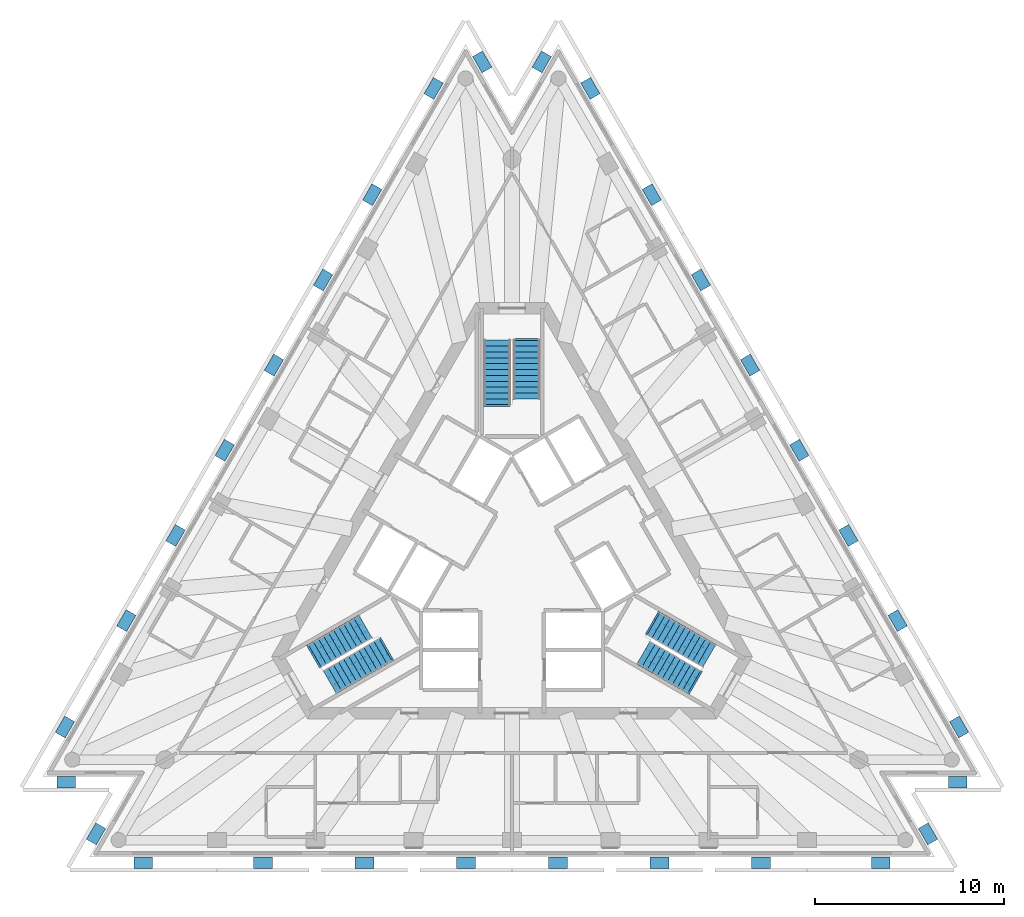
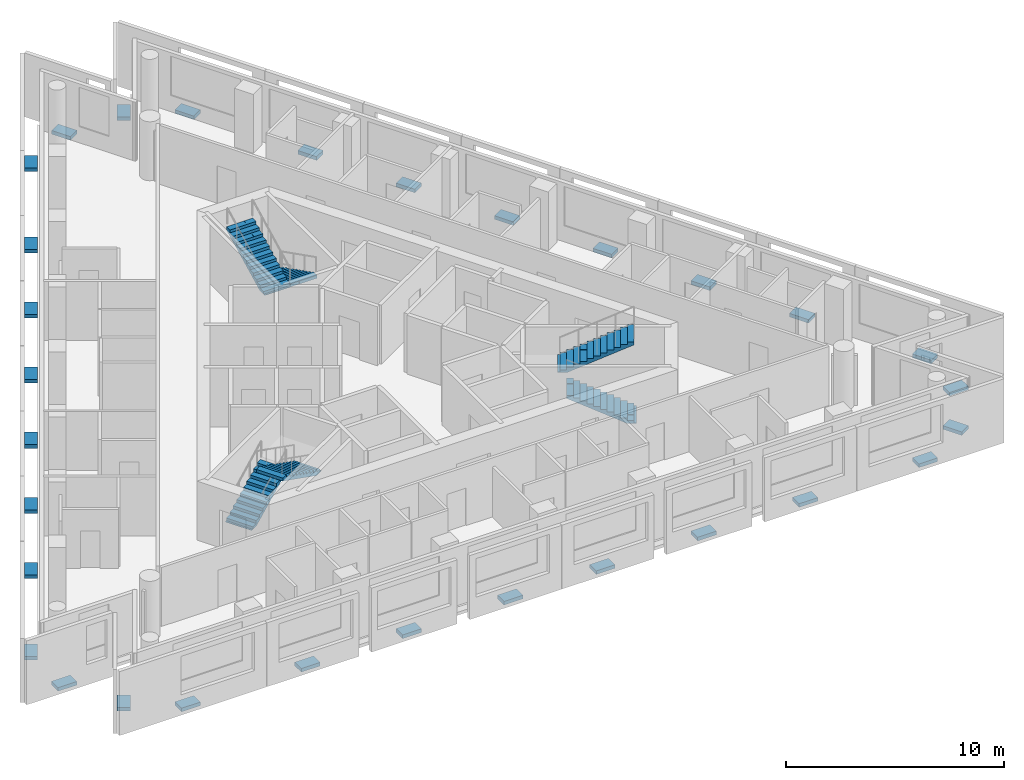
# One storey, part 8 of 10: 30 discrete accessories, 6 stair flights, 3 elements without a shape of their own.
"""IFC4 building model written with IfcOpenShell, lengths in metres."""

from ifc_helpers import new_model, si_unit, direction, frame, origin, origin_2d, place, context, subcontext, project, spatial, polyline, rectangle, outline, extrude, material, type_object, element, aggregate, save


model = new_model("IFC4")

# Units and contexts
model_context = context("Model", 3, precision=1e-05, world=origin(), true_north=direction((0.0, 1.0)))
body_context = subcontext(model_context, "Body", "Model", "MODEL_VIEW")
ifc_project = project(units=[si_unit("LENGTHUNIT", "METRE"), si_unit("AREAUNIT", "SQUARE_METRE"), si_unit("VOLUMEUNIT", "CUBIC_METRE"), si_unit("PLANEANGLEUNIT", "RADIAN"), si_unit("MASSUNIT", "GRAM", prefix="KILO")], contexts=[model_context])

# Site, building, storey
site_placement = place(None, origin())
site = spatial("IfcSite", under=ifc_project, at=site_placement, CompositionType="ELEMENT")
building_placement = place(site_placement, origin())
building = spatial("IfcBuilding", under=site, at=building_placement, Name="Triada Interchange Tower", CompositionType="ELEMENT")
storey_placement = place(building_placement, frame((0.0, 0.0, 315.10009765625)))
storey = spatial("IfcBuildingStorey", under=building, at=storey_placement, Name="L75", CompositionType="ELEMENT", Elevation=315.10009765625)

# Stair, stair flights
ifc_material_1 = material(Name="Concrete C35/45", Category="concrete")
stair_type = type_object("IfcStairType", Name="HALF TURN STAIR 1400", PredefinedType="HALF_TURN_STAIR", material=ifc_material_1)
stair_1_placement = place(storey_placement, origin())
stair_1 = element("IfcStair", 1, at=stair_1_placement, inside=storey, type_object=stair_type, Name="Exit stair S74-1", PredefinedType="HALF_TURN_STAIR")
stair_flight_type = type_object("IfcStairFlightType", Name="STRAIGHT STAIR FLIGHT 1400", PredefinedType="STRAIGHT", material=ifc_material_1)
stair_flight_1_placement = place(storey_placement, frame((0.800048828125, 11.60009765625, 0.0), z_axis=(0.0, 0.0, 1.0), x_axis=(0.0, -1.0, 0.0)))
stair_flight_1 = element("IfcStairFlight", 2, at=stair_flight_1_placement, type_object=stair_flight_type, Name="S74-1 flight 1", NumberOfRisers=11, NumberOfTreads=10, PredefinedType="STRAIGHT", RiserHeight=0.15652, TreadLength=0.31, context=body_context, shape_type="SweptSolid", body=[
    extrude(outline(polyline([(-0.10009765625, 0.0), (-0.10009765625, 0.02001953125), (0.0, 0.02001953125), (0.0, 0.156494140625), (0.31005859375, 0.156494140625), (0.31005859375, 0.31298828125), (0.6201171875, 0.31298828125), (0.6201171875, 0.469482421875), (0.929931640625, 0.469482421875), (0.929931640625, 0.6259765625), (1.239990234375, 0.6259765625), (1.239990234375, 0.78271484375), (1.550048828125, 0.78271484375), (1.550048828125, 0.939208984375), (1.860107421875, 0.939208984375), (1.860107421875, 1.095703125), (2.169921875, 1.095703125), (2.169921875, 1.252197265625), (2.47998046875, 1.252197265625), (2.47998046875, 1.40869140625), (2.7900390625, 1.40869140625), (2.7900390625, 1.565185546875), (3.10009765625, 1.565185546875), (3.10400390625, 1.565185546875), (3.10400390625, 1.7216796875), (3.10400390625, 1.397216796875), (0.33251953125, 0.0), (-0.10009765625, 0.0)])), frame((0.0, 0.699951171875, 0.0), z_axis=(0.0, -1.0, 0.0), x_axis=(1.0, 0.0, 0.0)), (0.0, 0.0, 1.0), 0.46533203125),
    extrude(outline(polyline([(-0.10009765625, 0.0), (-0.10009765625, 0.02001953125), (0.0, 0.02001953125), (0.0, 0.156494140625), (0.31005859375, 0.156494140625), (0.31005859375, 0.31298828125), (0.6201171875, 0.31298828125), (0.6201171875, 0.469482421875), (0.929931640625, 0.469482421875), (0.929931640625, 0.6259765625), (1.239990234375, 0.6259765625), (1.239990234375, 0.78271484375), (1.550048828125, 0.78271484375), (1.550048828125, 0.939208984375), (1.860107421875, 0.939208984375), (1.860107421875, 1.095703125), (2.169921875, 1.095703125), (2.169921875, 1.252197265625), (2.47998046875, 1.252197265625), (2.47998046875, 1.40869140625), (2.7900390625, 1.40869140625), (2.7900390625, 1.565185546875), (3.10009765625, 1.565185546875), (3.10400390625, 1.565185546875), (3.10400390625, 1.7216796875), (3.10400390625, 1.397216796875), (0.33251953125, 0.0), (-0.10009765625, 0.0)])), frame((0.0, 0.232666015625, 0.0), z_axis=(0.0, -1.0, 0.0), x_axis=(1.0, 0.0, 0.0)), (0.0, 0.0, 1.0), 0.46533203125),
    extrude(outline(polyline([(-0.10009765625, 0.0), (-0.10009765625, 0.02001953125), (0.0, 0.02001953125), (0.0, 0.156494140625), (0.31005859375, 0.156494140625), (0.31005859375, 0.31298828125), (0.6201171875, 0.31298828125), (0.6201171875, 0.469482421875), (0.929931640625, 0.469482421875), (0.929931640625, 0.6259765625), (1.239990234375, 0.6259765625), (1.239990234375, 0.78271484375), (1.550048828125, 0.78271484375), (1.550048828125, 0.939208984375), (1.860107421875, 0.939208984375), (1.860107421875, 1.095703125), (2.169921875, 1.095703125), (2.169921875, 1.252197265625), (2.47998046875, 1.252197265625), (2.47998046875, 1.40869140625), (2.7900390625, 1.40869140625), (2.7900390625, 1.565185546875), (3.10009765625, 1.565185546875), (3.10400390625, 1.565185546875), (3.10400390625, 1.7216796875), (3.10400390625, 1.397216796875), (0.33251953125, 0.0), (-0.10009765625, 0.0)])), frame((0.0, -0.234619140625, 0.0), z_axis=(0.0, -1.0, 0.0), x_axis=(1.0, 0.0, 0.0)), (0.0, 0.0, 1.0), 0.46533203125),
])
stair_flight_2_placement = place(storey_placement, frame((-0.800048828125, 8.18994140625, 1.7216796875), z_axis=(0.0, 0.0, 1.0), x_axis=(0.0, 1.0, 0.0)))
stair_flight_2 = element("IfcStairFlight", 3, at=stair_flight_2_placement, type_object=stair_flight_type, Name="S74-1 flight 2", NumberOfRisers=12, NumberOfTreads=11, PredefinedType="STRAIGHT", RiserHeight=0.15652, TreadLength=0.31, context=body_context, shape_type="SweptSolid", body=[
    extrude(outline(polyline([(-0.10009765625, 0.0), (-0.10009765625, 0.02001953125), (0.0, 0.02001953125), (0.0, 0.156494140625), (0.31005859375, 0.156494140625), (0.31005859375, 0.31298828125), (0.6201171875, 0.31298828125), (0.6201171875, 0.469482421875), (0.929931640625, 0.469482421875), (0.929931640625, 0.6259765625), (1.239990234375, 0.6259765625), (1.239990234375, 0.78271484375), (1.550048828125, 0.78271484375), (1.550048828125, 0.939208984375), (1.860107421875, 0.939208984375), (1.860107421875, 1.095703125), (2.169921875, 1.095703125), (2.169921875, 1.252197265625), (2.47998046875, 1.252197265625), (2.47998046875, 1.40869140625), (2.7900390625, 1.40869140625), (2.7900390625, 1.565185546875), (3.10009765625, 1.565185546875), (3.10009765625, 1.7216796875), (3.409912109375, 1.7216796875), (3.4140625, 1.7216796875), (3.4140625, 1.878173828125), (3.4140625, 1.5537109375), (0.33251953125, 0.0), (-0.10009765625, 0.0)])), frame((0.0, 0.699951171875, 0.0), z_axis=(0.0, -1.0, 0.0), x_axis=(1.0, 0.0, 0.0)), (0.0, 0.0, 1.0), 0.46533203125),
    extrude(outline(polyline([(-0.10009765625, 0.0), (-0.10009765625, 0.02001953125), (0.0, 0.02001953125), (0.0, 0.156494140625), (0.31005859375, 0.156494140625), (0.31005859375, 0.31298828125), (0.6201171875, 0.31298828125), (0.6201171875, 0.469482421875), (0.929931640625, 0.469482421875), (0.929931640625, 0.6259765625), (1.239990234375, 0.6259765625), (1.239990234375, 0.78271484375), (1.550048828125, 0.78271484375), (1.550048828125, 0.939208984375), (1.860107421875, 0.939208984375), (1.860107421875, 1.095703125), (2.169921875, 1.095703125), (2.169921875, 1.252197265625), (2.47998046875, 1.252197265625), (2.47998046875, 1.40869140625), (2.7900390625, 1.40869140625), (2.7900390625, 1.565185546875), (3.10009765625, 1.565185546875), (3.10009765625, 1.7216796875), (3.409912109375, 1.7216796875), (3.4140625, 1.7216796875), (3.4140625, 1.878173828125), (3.4140625, 1.5537109375), (0.33251953125, 0.0), (-0.10009765625, 0.0)])), frame((0.0, 0.232666015625, 0.0), z_axis=(0.0, -1.0, 0.0), x_axis=(1.0, 0.0, 0.0)), (0.0, 0.0, 1.0), 0.46533203125),
    extrude(outline(polyline([(-0.10009765625, 0.0), (-0.10009765625, 0.02001953125), (0.0, 0.02001953125), (0.0, 0.156494140625), (0.31005859375, 0.156494140625), (0.31005859375, 0.31298828125), (0.6201171875, 0.31298828125), (0.6201171875, 0.469482421875), (0.929931640625, 0.469482421875), (0.929931640625, 0.6259765625), (1.239990234375, 0.6259765625), (1.239990234375, 0.78271484375), (1.550048828125, 0.78271484375), (1.550048828125, 0.939208984375), (1.860107421875, 0.939208984375), (1.860107421875, 1.095703125), (2.169921875, 1.095703125), (2.169921875, 1.252197265625), (2.47998046875, 1.252197265625), (2.47998046875, 1.40869140625), (2.7900390625, 1.40869140625), (2.7900390625, 1.565185546875), (3.10009765625, 1.565185546875), (3.10009765625, 1.7216796875), (3.409912109375, 1.7216796875), (3.4140625, 1.7216796875), (3.4140625, 1.878173828125), (3.4140625, 1.5537109375), (0.33251953125, 0.0), (-0.10009765625, 0.0)])), frame((0.0, -0.234619140625, 0.0), z_axis=(0.0, -1.0, 0.0), x_axis=(1.0, 0.0, 0.0)), (0.0, 0.0, 1.0), 0.46533203125),
])
aggregate(stair_1, [stair_flight_1, stair_flight_2])

stair_2_placement = place(storey_placement, origin())
stair_2 = element("IfcStair", 4, at=stair_2_placement, inside=storey, type_object=stair_type, Name="Exit stair S74-2", PredefinedType="HALF_TURN_STAIR")
stair_flight_3_placement = place(storey_placement, frame((-10.446044921875, -5.10693359375, 0.0), z_axis=(0.0, 0.0, 1.0), x_axis=(0.866025403784, 0.5, 0.0)))
stair_flight_3 = element("IfcStairFlight", 5, at=stair_flight_3_placement, type_object=stair_flight_type, Name="S74-2 flight 1", NumberOfRisers=11, NumberOfTreads=10, PredefinedType="STRAIGHT", RiserHeight=0.15652, TreadLength=0.31, context=body_context, shape_type="SweptSolid", body=[
    extrude(outline(polyline([(-0.10009765625, 0.0), (-0.10009765625, 0.02001953125), (0.0, 0.02001953125), (0.0, 0.156494140625), (0.31005859375, 0.156494140625), (0.31005859375, 0.31298828125), (0.6201171875, 0.31298828125), (0.6201171875, 0.469482421875), (0.929931640625, 0.469482421875), (0.929931640625, 0.6259765625), (1.239990234375, 0.6259765625), (1.239990234375, 0.78271484375), (1.550048828125, 0.78271484375), (1.550048828125, 0.939208984375), (1.860107421875, 0.939208984375), (1.860107421875, 1.095703125), (2.169921875, 1.095703125), (2.169921875, 1.252197265625), (2.47998046875, 1.252197265625), (2.47998046875, 1.40869140625), (2.7900390625, 1.40869140625), (2.7900390625, 1.565185546875), (3.10009765625, 1.565185546875), (3.10400390625, 1.565185546875), (3.10400390625, 1.7216796875), (3.10400390625, 1.397216796875), (0.33251953125, 0.0), (-0.10009765625, 0.0)])), frame((0.0, 0.699951171875, 0.0), z_axis=(0.0, -1.0, 0.0), x_axis=(1.0, 0.0, 0.0)), (0.0, 0.0, 1.0), 0.46533203125),
    extrude(outline(polyline([(-0.10009765625, 0.0), (-0.10009765625, 0.02001953125), (0.0, 0.02001953125), (0.0, 0.156494140625), (0.31005859375, 0.156494140625), (0.31005859375, 0.31298828125), (0.6201171875, 0.31298828125), (0.6201171875, 0.469482421875), (0.929931640625, 0.469482421875), (0.929931640625, 0.6259765625), (1.239990234375, 0.6259765625), (1.239990234375, 0.78271484375), (1.550048828125, 0.78271484375), (1.550048828125, 0.939208984375), (1.860107421875, 0.939208984375), (1.860107421875, 1.095703125), (2.169921875, 1.095703125), (2.169921875, 1.252197265625), (2.47998046875, 1.252197265625), (2.47998046875, 1.40869140625), (2.7900390625, 1.40869140625), (2.7900390625, 1.565185546875), (3.10009765625, 1.565185546875), (3.10400390625, 1.565185546875), (3.10400390625, 1.7216796875), (3.10400390625, 1.397216796875), (0.33251953125, 0.0), (-0.10009765625, 0.0)])), frame((0.0, 0.232666015625, 0.0), z_axis=(0.0, -1.0, 0.0), x_axis=(1.0, 0.0, 0.0)), (0.0, 0.0, 1.0), 0.46533203125),
    extrude(outline(polyline([(-0.10009765625, 0.0), (-0.10009765625, 0.02001953125), (0.0, 0.02001953125), (0.0, 0.156494140625), (0.31005859375, 0.156494140625), (0.31005859375, 0.31298828125), (0.6201171875, 0.31298828125), (0.6201171875, 0.469482421875), (0.929931640625, 0.469482421875), (0.929931640625, 0.6259765625), (1.239990234375, 0.6259765625), (1.239990234375, 0.78271484375), (1.550048828125, 0.78271484375), (1.550048828125, 0.939208984375), (1.860107421875, 0.939208984375), (1.860107421875, 1.095703125), (2.169921875, 1.095703125), (2.169921875, 1.252197265625), (2.47998046875, 1.252197265625), (2.47998046875, 1.40869140625), (2.7900390625, 1.40869140625), (2.7900390625, 1.565185546875), (3.10009765625, 1.565185546875), (3.10400390625, 1.565185546875), (3.10400390625, 1.7216796875), (3.10400390625, 1.397216796875), (0.33251953125, 0.0), (-0.10009765625, 0.0)])), frame((0.0, -0.234619140625, 0.0), z_axis=(0.0, -1.0, 0.0), x_axis=(1.0, 0.0, 0.0)), (0.0, 0.0, 1.0), 0.46533203125),
])
stair_flight_4_placement = place(storey_placement, frame((-6.693115234375, -4.7880859375, 1.7216796875), z_axis=(0.0, 0.0, 1.0), x_axis=(-0.866025403784, -0.5, 0.0)))
stair_flight_4 = element("IfcStairFlight", 6, at=stair_flight_4_placement, type_object=stair_flight_type, Name="S74-2 flight 2", NumberOfRisers=12, NumberOfTreads=11, PredefinedType="STRAIGHT", RiserHeight=0.15652, TreadLength=0.31, context=body_context, shape_type="SweptSolid", body=[
    extrude(outline(polyline([(-0.10009765625, 0.0), (-0.10009765625, 0.02001953125), (0.0, 0.02001953125), (0.0, 0.156494140625), (0.31005859375, 0.156494140625), (0.31005859375, 0.31298828125), (0.6201171875, 0.31298828125), (0.6201171875, 0.469482421875), (0.929931640625, 0.469482421875), (0.929931640625, 0.6259765625), (1.239990234375, 0.6259765625), (1.239990234375, 0.78271484375), (1.550048828125, 0.78271484375), (1.550048828125, 0.939208984375), (1.860107421875, 0.939208984375), (1.860107421875, 1.095703125), (2.169921875, 1.095703125), (2.169921875, 1.252197265625), (2.47998046875, 1.252197265625), (2.47998046875, 1.40869140625), (2.7900390625, 1.40869140625), (2.7900390625, 1.565185546875), (3.10009765625, 1.565185546875), (3.10009765625, 1.7216796875), (3.409912109375, 1.7216796875), (3.4140625, 1.7216796875), (3.4140625, 1.878173828125), (3.4140625, 1.5537109375), (0.33251953125, 0.0), (-0.10009765625, 0.0)])), frame((0.0, 0.699951171875, 0.0), z_axis=(0.0, -1.0, 0.0), x_axis=(1.0, 0.0, 0.0)), (0.0, 0.0, 1.0), 0.46533203125),
    extrude(outline(polyline([(-0.10009765625, 0.0), (-0.10009765625, 0.02001953125), (0.0, 0.02001953125), (0.0, 0.156494140625), (0.31005859375, 0.156494140625), (0.31005859375, 0.31298828125), (0.6201171875, 0.31298828125), (0.6201171875, 0.469482421875), (0.929931640625, 0.469482421875), (0.929931640625, 0.6259765625), (1.239990234375, 0.6259765625), (1.239990234375, 0.78271484375), (1.550048828125, 0.78271484375), (1.550048828125, 0.939208984375), (1.860107421875, 0.939208984375), (1.860107421875, 1.095703125), (2.169921875, 1.095703125), (2.169921875, 1.252197265625), (2.47998046875, 1.252197265625), (2.47998046875, 1.40869140625), (2.7900390625, 1.40869140625), (2.7900390625, 1.565185546875), (3.10009765625, 1.565185546875), (3.10009765625, 1.7216796875), (3.409912109375, 1.7216796875), (3.4140625, 1.7216796875), (3.4140625, 1.878173828125), (3.4140625, 1.5537109375), (0.33251953125, 0.0), (-0.10009765625, 0.0)])), frame((0.0, 0.232666015625, 0.0), z_axis=(0.0, -1.0, 0.0), x_axis=(1.0, 0.0, 0.0)), (0.0, 0.0, 1.0), 0.46533203125),
    extrude(outline(polyline([(-0.10009765625, 0.0), (-0.10009765625, 0.02001953125), (0.0, 0.02001953125), (0.0, 0.156494140625), (0.31005859375, 0.156494140625), (0.31005859375, 0.31298828125), (0.6201171875, 0.31298828125), (0.6201171875, 0.469482421875), (0.929931640625, 0.469482421875), (0.929931640625, 0.6259765625), (1.239990234375, 0.6259765625), (1.239990234375, 0.78271484375), (1.550048828125, 0.78271484375), (1.550048828125, 0.939208984375), (1.860107421875, 0.939208984375), (1.860107421875, 1.095703125), (2.169921875, 1.095703125), (2.169921875, 1.252197265625), (2.47998046875, 1.252197265625), (2.47998046875, 1.40869140625), (2.7900390625, 1.40869140625), (2.7900390625, 1.565185546875), (3.10009765625, 1.565185546875), (3.10009765625, 1.7216796875), (3.409912109375, 1.7216796875), (3.4140625, 1.7216796875), (3.4140625, 1.878173828125), (3.4140625, 1.5537109375), (0.33251953125, 0.0), (-0.10009765625, 0.0)])), frame((0.0, -0.234619140625, 0.0), z_axis=(0.0, -1.0, 0.0), x_axis=(1.0, 0.0, 0.0)), (0.0, 0.0, 1.0), 0.46533203125),
])
aggregate(stair_2, [stair_flight_3, stair_flight_4])

stair_3_placement = place(storey_placement, origin())
stair_3 = element("IfcStair", 7, at=stair_3_placement, inside=storey, type_object=stair_type, Name="Exit stair S74-3", PredefinedType="HALF_TURN_STAIR")
stair_flight_5_placement = place(storey_placement, frame((9.64599609375, -6.492919921875, 0.0), z_axis=(0.0, 0.0, 1.0), x_axis=(-0.866025403784, 0.5, 0.0)))
stair_flight_5 = element("IfcStairFlight", 8, at=stair_flight_5_placement, type_object=stair_flight_type, Name="S74-3 flight 1", NumberOfRisers=11, NumberOfTreads=10, PredefinedType="STRAIGHT", RiserHeight=0.15652, TreadLength=0.31, context=body_context, shape_type="SweptSolid", body=[
    extrude(outline(polyline([(-0.10009765625, 0.0), (-0.10009765625, 0.02001953125), (0.0, 0.02001953125), (0.0, 0.156494140625), (0.31005859375, 0.156494140625), (0.31005859375, 0.31298828125), (0.6201171875, 0.31298828125), (0.6201171875, 0.469482421875), (0.929931640625, 0.469482421875), (0.929931640625, 0.6259765625), (1.239990234375, 0.6259765625), (1.239990234375, 0.78271484375), (1.550048828125, 0.78271484375), (1.550048828125, 0.939208984375), (1.860107421875, 0.939208984375), (1.860107421875, 1.095703125), (2.169921875, 1.095703125), (2.169921875, 1.252197265625), (2.47998046875, 1.252197265625), (2.47998046875, 1.40869140625), (2.7900390625, 1.40869140625), (2.7900390625, 1.565185546875), (3.10009765625, 1.565185546875), (3.10400390625, 1.565185546875), (3.10400390625, 1.7216796875), (3.10400390625, 1.397216796875), (0.33251953125, 0.0), (-0.10009765625, 0.0)])), frame((0.0, 0.699951171875, 0.0), z_axis=(0.0, -1.0, 0.0), x_axis=(1.0, 0.0, 0.0)), (0.0, 0.0, 1.0), 0.46533203125),
    extrude(outline(polyline([(-0.10009765625, 0.0), (-0.10009765625, 0.02001953125), (0.0, 0.02001953125), (0.0, 0.156494140625), (0.31005859375, 0.156494140625), (0.31005859375, 0.31298828125), (0.6201171875, 0.31298828125), (0.6201171875, 0.469482421875), (0.929931640625, 0.469482421875), (0.929931640625, 0.6259765625), (1.239990234375, 0.6259765625), (1.239990234375, 0.78271484375), (1.550048828125, 0.78271484375), (1.550048828125, 0.939208984375), (1.860107421875, 0.939208984375), (1.860107421875, 1.095703125), (2.169921875, 1.095703125), (2.169921875, 1.252197265625), (2.47998046875, 1.252197265625), (2.47998046875, 1.40869140625), (2.7900390625, 1.40869140625), (2.7900390625, 1.565185546875), (3.10009765625, 1.565185546875), (3.10400390625, 1.565185546875), (3.10400390625, 1.7216796875), (3.10400390625, 1.397216796875), (0.33251953125, 0.0), (-0.10009765625, 0.0)])), frame((0.0, 0.232666015625, 0.0), z_axis=(0.0, -1.0, 0.0), x_axis=(1.0, 0.0, 0.0)), (0.0, 0.0, 1.0), 0.46533203125),
    extrude(outline(polyline([(-0.10009765625, 0.0), (-0.10009765625, 0.02001953125), (0.0, 0.02001953125), (0.0, 0.156494140625), (0.31005859375, 0.156494140625), (0.31005859375, 0.31298828125), (0.6201171875, 0.31298828125), (0.6201171875, 0.469482421875), (0.929931640625, 0.469482421875), (0.929931640625, 0.6259765625), (1.239990234375, 0.6259765625), (1.239990234375, 0.78271484375), (1.550048828125, 0.78271484375), (1.550048828125, 0.939208984375), (1.860107421875, 0.939208984375), (1.860107421875, 1.095703125), (2.169921875, 1.095703125), (2.169921875, 1.252197265625), (2.47998046875, 1.252197265625), (2.47998046875, 1.40869140625), (2.7900390625, 1.40869140625), (2.7900390625, 1.565185546875), (3.10009765625, 1.565185546875), (3.10400390625, 1.565185546875), (3.10400390625, 1.7216796875), (3.10400390625, 1.397216796875), (0.33251953125, 0.0), (-0.10009765625, 0.0)])), frame((0.0, -0.234619140625, 0.0), z_axis=(0.0, -1.0, 0.0), x_axis=(1.0, 0.0, 0.0)), (0.0, 0.0, 1.0), 0.46533203125),
])
stair_flight_6_placement = place(storey_placement, frame((7.492919921875, -3.402099609375, 1.7216796875), z_axis=(0.0, 0.0, 1.0), x_axis=(0.866025403784, -0.5, 0.0)))
stair_flight_6 = element("IfcStairFlight", 9, at=stair_flight_6_placement, type_object=stair_flight_type, Name="S74-3 flight 2", NumberOfRisers=12, NumberOfTreads=11, PredefinedType="STRAIGHT", RiserHeight=0.15652, TreadLength=0.31, context=body_context, shape_type="SweptSolid", body=[
    extrude(outline(polyline([(-0.10009765625, 0.0), (-0.10009765625, 0.02001953125), (0.0, 0.02001953125), (0.0, 0.156494140625), (0.31005859375, 0.156494140625), (0.31005859375, 0.31298828125), (0.6201171875, 0.31298828125), (0.6201171875, 0.469482421875), (0.929931640625, 0.469482421875), (0.929931640625, 0.6259765625), (1.239990234375, 0.6259765625), (1.239990234375, 0.78271484375), (1.550048828125, 0.78271484375), (1.550048828125, 0.939208984375), (1.860107421875, 0.939208984375), (1.860107421875, 1.095703125), (2.169921875, 1.095703125), (2.169921875, 1.252197265625), (2.47998046875, 1.252197265625), (2.47998046875, 1.40869140625), (2.7900390625, 1.40869140625), (2.7900390625, 1.565185546875), (3.10009765625, 1.565185546875), (3.10009765625, 1.7216796875), (3.409912109375, 1.7216796875), (3.4140625, 1.7216796875), (3.4140625, 1.878173828125), (3.4140625, 1.5537109375), (0.33251953125, 0.0), (-0.10009765625, 0.0)])), frame((0.0, 0.699951171875, 0.0), z_axis=(0.0, -1.0, 0.0), x_axis=(1.0, 0.0, 0.0)), (0.0, 0.0, 1.0), 0.46533203125),
    extrude(outline(polyline([(-0.10009765625, 0.0), (-0.10009765625, 0.02001953125), (0.0, 0.02001953125), (0.0, 0.156494140625), (0.31005859375, 0.156494140625), (0.31005859375, 0.31298828125), (0.6201171875, 0.31298828125), (0.6201171875, 0.469482421875), (0.929931640625, 0.469482421875), (0.929931640625, 0.6259765625), (1.239990234375, 0.6259765625), (1.239990234375, 0.78271484375), (1.550048828125, 0.78271484375), (1.550048828125, 0.939208984375), (1.860107421875, 0.939208984375), (1.860107421875, 1.095703125), (2.169921875, 1.095703125), (2.169921875, 1.252197265625), (2.47998046875, 1.252197265625), (2.47998046875, 1.40869140625), (2.7900390625, 1.40869140625), (2.7900390625, 1.565185546875), (3.10009765625, 1.565185546875), (3.10009765625, 1.7216796875), (3.409912109375, 1.7216796875), (3.4140625, 1.7216796875), (3.4140625, 1.878173828125), (3.4140625, 1.5537109375), (0.33251953125, 0.0), (-0.10009765625, 0.0)])), frame((0.0, 0.232666015625, 0.0), z_axis=(0.0, -1.0, 0.0), x_axis=(1.0, 0.0, 0.0)), (0.0, 0.0, 1.0), 0.46533203125),
    extrude(outline(polyline([(-0.10009765625, 0.0), (-0.10009765625, 0.02001953125), (0.0, 0.02001953125), (0.0, 0.156494140625), (0.31005859375, 0.156494140625), (0.31005859375, 0.31298828125), (0.6201171875, 0.31298828125), (0.6201171875, 0.469482421875), (0.929931640625, 0.469482421875), (0.929931640625, 0.6259765625), (1.239990234375, 0.6259765625), (1.239990234375, 0.78271484375), (1.550048828125, 0.78271484375), (1.550048828125, 0.939208984375), (1.860107421875, 0.939208984375), (1.860107421875, 1.095703125), (2.169921875, 1.095703125), (2.169921875, 1.252197265625), (2.47998046875, 1.252197265625), (2.47998046875, 1.40869140625), (2.7900390625, 1.40869140625), (2.7900390625, 1.565185546875), (3.10009765625, 1.565185546875), (3.10009765625, 1.7216796875), (3.409912109375, 1.7216796875), (3.4140625, 1.7216796875), (3.4140625, 1.878173828125), (3.4140625, 1.5537109375), (0.33251953125, 0.0), (-0.10009765625, 0.0)])), frame((0.0, -0.234619140625, 0.0), z_axis=(0.0, -1.0, 0.0), x_axis=(1.0, 0.0, 0.0)), (0.0, 0.0, 1.0), 0.46533203125),
])
aggregate(stair_3, [stair_flight_5, stair_flight_6])

# Discrete accessories
ifc_material_2 = material(Name="Steel S355", Category="steel")
discrete_accessory_type = type_object("IfcDiscreteAccessoryType", Name="Steel bracket outer skin", PredefinedType="BRACKET", material=ifc_material_2)
for number, where, z_axis, x_axis, name in (
    (10, (-4.14892578125, 24.93994140625, -0.27001953125), (0.0, 0.0, 1.0), (-0.866024548572, 0.500001481269, 0.0), "Bracket L75 01"),
    (11, (-7.402099609375, 19.305908203125, -0.27001953125), (0.0, 0.0, 1.0), (-0.866024548572, 0.500001481269, 0.0), "Bracket L75 02"),
    (12, (-10.0048828125, 14.7958984375, -0.27001953125), (0.0, 0.0, 1.0), (-0.866024548572, 0.500001481269, 0.0), "Bracket L75 03"),
    (13, (-12.60888671875, 10.285888671875, -0.27001953125), (0.0, 0.0, 1.0), (-0.866024548572, 0.500001481269, 0.0), "Bracket L75 04"),
    (14, (-15.212890625, 5.777099609375, -0.27001953125), (0.0, 0.0, 1.0), (-0.866024548572, 0.500001481269, 0.0), "Bracket L75 05"),
    (15, (-17.81591796875, 1.26708984375, -0.27001953125), (0.0, 0.0, 1.0), (-0.866024548572, 0.500001481269, 0.0), "Bracket L75 06"),
    (16, (-20.419921875, -3.242919921875, -0.27001953125), (0.0, 0.0, 1.0), (-0.866024548572, 0.500001481269, 0.0), "Bracket L75 07"),
    (17, (-23.673095703125, -8.876953125, -0.27001953125), (0.0, 0.0, 1.0), (-0.866024548572, 0.500001481269, 0.0), "Bracket L75 08"),
    (18, (-23.60009765625, -11.806884765625, -0.27001953125), (0.0, 0.0, 1.0), (0.0, -1.0, 0.0), "Bracket L75 09"),
    (19, (-22.02490234375, -14.534912109375, -0.27001953125), (0.0, 0.0, 1.0), (-0.866043266677, 0.499969059287, 0.0), "Bracket L75 10"),
    (20, (-19.52392578125, -16.06298828125, -0.27001953125), (0.0, 0.0, 1.0), (0.0, -1.0, 0.0), "Bracket L75 11"),
    (21, (-13.179931640625, -16.06298828125, -0.27001953125), (0.0, 0.0, 1.0), (0.0, -1.0, 0.0), "Bracket L75 12"),
    (22, (-7.81103515625, -16.06298828125, -0.27001953125), (0.0, 0.0, 1.0), (0.0, -1.0, 0.0), "Bracket L75 13"),
    (23, (-2.44189453125, -16.06298828125, -0.27001953125), (0.0, 0.0, 1.0), (0.0, -1.0, 0.0), "Bracket L75 14"),
    (24, (2.44189453125, -16.06298828125, -0.27001953125), (0.0, 0.0, 1.0), (0.0, -1.0, 0.0), "Bracket L75 15"),
    (25, (7.81103515625, -16.06298828125, -0.27001953125), (0.0, 0.0, 1.0), (0.0, -1.0, 0.0), "Bracket L75 16"),
    (26, (13.179931640625, -16.06298828125, -0.27001953125), (0.0, 0.0, 1.0), (0.0, -1.0, 0.0), "Bracket L75 17"),
    (27, (19.52392578125, -16.06298828125, -0.27001953125), (0.0, 0.0, 1.0), (0.0, -1.0, 0.0), "Bracket L75 18"),
    (28, (22.02490234375, -14.534912109375, -0.27001953125), (0.0, 0.0, 1.0), (0.866043266677, 0.499969059287, 0.0), "Bracket L75 19"),
    (29, (23.60009765625, -11.806884765625, -0.27001953125), (0.0, 0.0, 1.0), (0.0, -1.0, 0.0), "Bracket L75 20"),
    (30, (23.673095703125, -8.876953125, -0.27001953125), (0.0, 0.0, 1.0), (0.866024548572, 0.500001481269, 0.0), "Bracket L75 21"),
    (31, (20.419921875, -3.242919921875, -0.27001953125), (0.0, 0.0, 1.0), (0.866024548572, 0.500001481269, 0.0), "Bracket L75 22"),
    (32, (17.81591796875, 1.26708984375, -0.27001953125), (0.0, 0.0, 1.0), (0.866024548572, 0.500001481269, 0.0), "Bracket L75 23"),
    (33, (15.212890625, 5.777099609375, -0.27001953125), (0.0, 0.0, 1.0), (0.866024548572, 0.500001481269, 0.0), "Bracket L75 24"),
    (34, (12.60888671875, 10.285888671875, -0.27001953125), (0.0, 0.0, 1.0), (0.866024548572, 0.500001481269, 0.0), "Bracket L75 25"),
    (35, (10.0048828125, 14.7958984375, -0.27001953125), (0.0, 0.0, 1.0), (0.866024548572, 0.500001481269, 0.0), "Bracket L75 26"),
    (36, (7.402099609375, 19.305908203125, -0.27001953125), (0.0, 0.0, 1.0), (0.866024548572, 0.500001481269, 0.0), "Bracket L75 27"),
    (37, (4.14892578125, 24.93994140625, -0.27001953125), (0.0, 0.0, 1.0), (0.866024548572, 0.500001481269, 0.0), "Bracket L75 28"),
    (38, (1.574951171875, 26.342041015625, -0.27001953125), (0.0, 0.0, 1.0), (-0.866043266677, 0.499969059287, 0.0), "Bracket L75 29"),
    (39, (-1.574951171875, 26.342041015625, -0.27001953125), (0.0, 0.0, 1.0), (0.866043266677, 0.499969059287, 0.0), "Bracket L75 30"),
):
    element("IfcDiscreteAccessory", number, at=place(storey_placement, frame(where, z_axis=z_axis, x_axis=x_axis)), inside=storey, type_object=discrete_accessory_type, Name=name, PredefinedType="BRACKET", context=body_context, shape_type="SweptSolid", body=[
        extrude(rectangle(XDim=0.60009765625, YDim=1.0, at=origin_2d()), origin(), (0.0, 0.0, 1.0), 0.199951171875),
    ])

save(model, "model.ifc")
